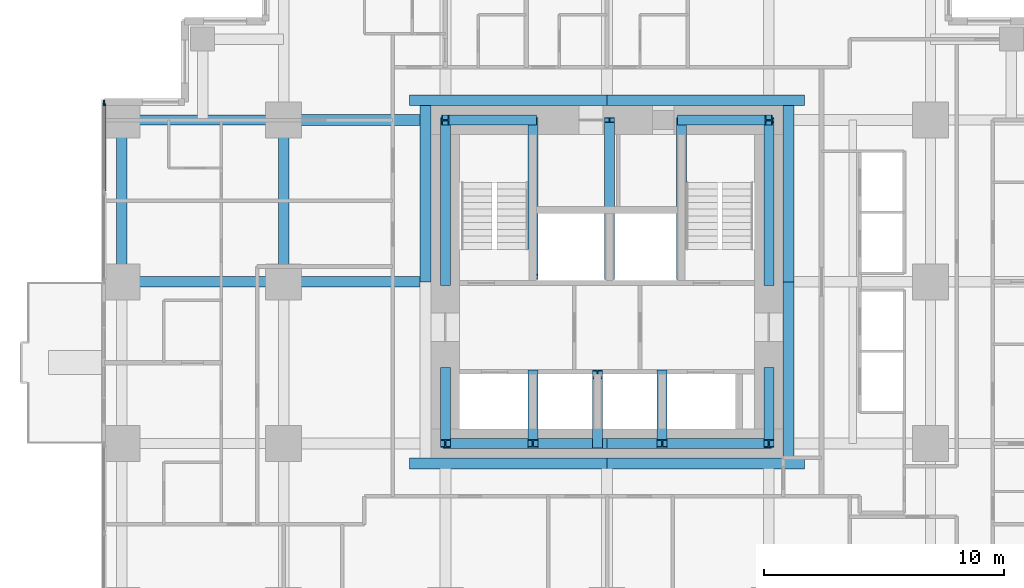
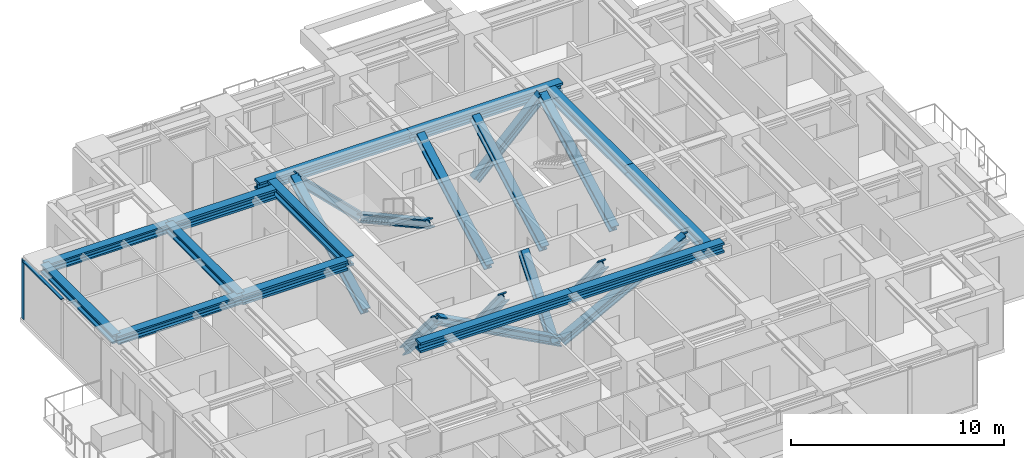
# One storey, part 3 of 13: 16 members, 13 beams, 1 element without a shape of its own.
"""IFC4 building model written with IfcOpenShell, lengths in metres."""

from ifc_helpers import new_model, si_unit, direction, frame, origin, origin_2d, place, context, subcontext, project, spatial, rectangle, i_section, extrude, material, material_profile, profile_set, type_object, element, aggregate, save


model = new_model("IFC4")

# Units and contexts
model_context = context("Model", 3, precision=1e-05, world=origin(), true_north=direction((0.0, 1.0)))
body_context = subcontext(model_context, "Body", "Model", "MODEL_VIEW")
ifc_project = project(units=[si_unit("LENGTHUNIT", "METRE"), si_unit("AREAUNIT", "SQUARE_METRE"), si_unit("VOLUMEUNIT", "CUBIC_METRE"), si_unit("PLANEANGLEUNIT", "RADIAN"), si_unit("MASSUNIT", "GRAM", prefix="KILO")], contexts=[model_context])

# Site, building, storey
site_placement = place(None, origin())
site = spatial("IfcSite", under=ifc_project, at=site_placement, CompositionType="ELEMENT")
building_placement = place(site_placement, origin())
building = spatial("IfcBuilding", under=site, at=building_placement, Name="Nyansa Garden Tower", CompositionType="ELEMENT")
storey_placement = place(building_placement, frame((0.0, 0.0, 116.10009765625)))
storey = spatial("IfcBuildingStorey", under=building, at=storey_placement, Name="L31", CompositionType="ELEMENT", Elevation=116.10009765625)

# Curtain wall, member
ifc_material_1 = material(Name="Black anodised aluminium, dark tinted double glazing", Category="aluminium")
curtain_wall_type = type_object("IfcCurtainWallType", Name="Inner skin curtain wall ISW-B", PredefinedType="USERDEFINED", material=ifc_material_1)
curtain_wall_placement = place(storey_placement, origin())
curtain_wall = element("IfcCurtainWall", 1, at=curtain_wall_placement, inside=storey, type_object=curtain_wall_type, Name="Inner skin curtain wall L31 W", ObjectType="UNITISED CURTAIN WALL", PredefinedType="USERDEFINED")
ifc_material_2 = material(Name="Black anodised aluminium", Category="aluminium")
ifc_material_profile_1 = material_profile(ifc_material_2, rectangle(XDim=0.06494140625, YDim=0.22509765625, at=origin_2d()), Name="Mullion 225x65")
ifc_profile_set_1 = profile_set([ifc_material_profile_1], Name="Black anodised aluminium")
member_type_1 = type_object("IfcMemberType", Name="Mullion ISW-B 225x65", PredefinedType="MULLION", material=ifc_profile_set_1)
member_1_placement = place(storey_placement, frame((-0.75, 27.717529296875, 0.0), z_axis=(0.0, 0.0, 1.0), x_axis=(1.0, 0.0, 0.0)))
member_1 = element("IfcMember", 2, at=member_1_placement, type_object=member_type_1, Name="ISW-B mullion 1", PredefinedType="MULLION", context=body_context, shape_type="SweptSolid", body=[
    extrude(rectangle(XDim=0.06494140625, YDim=0.22509765625, at=origin_2d()), origin(), (0.0, 0.0, 1.0), 3.375),
])

# Members
ifc_material_3 = material(Name="Steel S355", Category="steel")
ifc_material_profile_2 = material_profile(ifc_material_3, i_section(OverallWidth=0.41796875, OverallDepth=0.455078125, WebThickness=0.0419921875, FlangeThickness=0.067626953125, FilletRadius=0.014892578125, at=origin_2d()), Name="HD 400x463")
ifc_profile_set_2 = profile_set([ifc_material_profile_2], Name="Steel S355")
member_type_2 = type_object("IfcMemberType", Name="Perimeter brace HD 400x463", PredefinedType="BRACE", material=ifc_profile_set_2)
for number, where, z_axis, x_axis, name in (
    (3, (20.25, 13.5, 0.0), (-0.882360891967, 0.0, 0.470573327259), (0.0, -1.0, 0.0), "Core brace CS1 L31"),
    (4, (20.25, 13.5, 0.0), (0.882360891967, 0.0, 0.470573327259), (0.0, 1.0, 0.0), "Core brace CS2 L31"),
):
    element("IfcMember", number, at=place(storey_placement, frame(where, z_axis=z_axis, x_axis=x_axis)), inside=storey, type_object=member_type_2, Name=name, PredefinedType="BRACE", context=body_context, shape_type="SweptSolid", body=[
        extrude(i_section(OverallWidth=0.41796875, OverallDepth=0.455078125, WebThickness=0.0419921875, FlangeThickness=0.067626953125, FilletRadius=0.014892578125, at=origin_2d()), origin(), (0.0, 0.0, 1.0), 7.64990234375),
    ])
for number, where, z_axis, x_axis, name in (
    (5, (17.14990234375, 27.0, 0.0), (-0.711971340796, 0.0, 0.702208523079), (0.0, -1.0, 0.0), "Core brace CN3 L31"),
    (6, (23.35009765625, 27.0, 0.0), (0.711971340796, 0.0, 0.702208523079), (0.0, 1.0, 0.0), "Core brace CN4 L31"),
):
    element("IfcMember", number, at=place(storey_placement, frame(where, z_axis=z_axis, x_axis=x_axis)), inside=storey, type_object=member_type_2, Name=name, PredefinedType="BRACE", context=body_context, shape_type="SweptSolid", body=[
        extrude(i_section(OverallWidth=0.41796875, OverallDepth=0.455078125, WebThickness=0.0419921875, FlangeThickness=0.067626953125, FilletRadius=0.014892578125, at=origin_2d()), origin(), (0.0, 0.0, 1.0), 5.12646484375),
    ])
member_2_placement = place(storey_placement, frame((13.5, 16.5, 0.0), z_axis=(0.0, -0.640199773186, 0.768208468069), x_axis=(1.0, 0.0, 0.0)))
element("IfcMember", 7, at=member_2_placement, inside=storey, type_object=member_type_2, Name="Core brace CW5 L31", PredefinedType="BRACE", context=body_context, shape_type="SweptSolid", body=[
    extrude(i_section(OverallWidth=0.41796875, OverallDepth=0.455078125, WebThickness=0.0419921875, FlangeThickness=0.067626953125, FilletRadius=0.014892578125, at=origin_2d()), origin(), (0.0, 0.0, 1.0), 4.68603515625),
])
member_3_placement = place(storey_placement, frame((13.5, 20.199951171875, 0.0), z_axis=(0.0, 0.883797178129, 0.467870225524), x_axis=(-1.0, 0.0, 0.0)))
element("IfcMember", 8, at=member_3_placement, inside=storey, type_object=member_type_2, Name="Core brace CW6 L31", PredefinedType="BRACE", context=body_context, shape_type="SweptSolid", body=[
    extrude(i_section(OverallWidth=0.41796875, OverallDepth=0.455078125, WebThickness=0.0419921875, FlangeThickness=0.067626953125, FilletRadius=0.014892578125, at=origin_2d()), origin(), (0.0, 0.0, 1.0), 7.694091796875),
])
member_4_placement = place(storey_placement, frame((27.0, 16.5, 0.0), z_axis=(0.0, -0.640199773186, 0.768208468069), x_axis=(1.0, 0.0, 0.0)))
element("IfcMember", 9, at=member_4_placement, inside=storey, type_object=member_type_2, Name="Core brace CE7 L31", PredefinedType="BRACE", context=body_context, shape_type="SweptSolid", body=[
    extrude(i_section(OverallWidth=0.41796875, OverallDepth=0.455078125, WebThickness=0.0419921875, FlangeThickness=0.067626953125, FilletRadius=0.014892578125, at=origin_2d()), origin(), (0.0, 0.0, 1.0), 4.68603515625),
])
member_5_placement = place(storey_placement, frame((27.0, 20.199951171875, 0.0), z_axis=(0.0, 0.883797178129, 0.467870225524), x_axis=(-1.0, 0.0, 0.0)))
element("IfcMember", 10, at=member_5_placement, inside=storey, type_object=member_type_2, Name="Core brace CE8 L31", PredefinedType="BRACE", context=body_context, shape_type="SweptSolid", body=[
    extrude(i_section(OverallWidth=0.41796875, OverallDepth=0.455078125, WebThickness=0.0419921875, FlangeThickness=0.067626953125, FilletRadius=0.014892578125, at=origin_2d()), origin(), (0.0, 0.0, 1.0), 7.694091796875),
])
for number, where, z_axis, x_axis, name in (
    (11, (17.14990234375, 27.0, 0.0), (0.0, -0.876366901673, 0.481644115143), (1.0, 0.0, 0.0), "Core brace CWS9 L31"),
    (12, (23.35009765625, 20.449951171875, 0.0), (0.0, 0.876366901673, 0.481644115143), (-1.0, 0.0, 0.0), "Core brace CES10 L31"),
):
    element("IfcMember", number, at=place(storey_placement, frame(where, z_axis=z_axis, x_axis=x_axis)), inside=storey, type_object=member_type_2, Name=name, PredefinedType="BRACE", context=body_context, shape_type="SweptSolid", body=[
        extrude(i_section(OverallWidth=0.41796875, OverallDepth=0.455078125, WebThickness=0.0419921875, FlangeThickness=0.067626953125, FilletRadius=0.014892578125, at=origin_2d()), origin(), (0.0, 0.0, 1.0), 7.47412109375),
    ])
for number, where, z_axis, x_axis, name in (
    (13, (17.14990234375, 16.39990234375, 0.0), (0.0, -0.627332207022, 0.778751758928), (1.0, 0.0, 0.0), "Core brace CSW11 L31"),
    (14, (19.85009765625, 13.5, 0.0), (0.0, 0.627332207022, 0.778751758928), (-1.0, 0.0, 0.0), "Core brace CSW12 L31"),
    (15, (22.550048828125, 16.39990234375, 0.0), (0.0, -0.627332207022, 0.778751758928), (1.0, 0.0, 0.0), "Core brace CSW13 L31"),
):
    element("IfcMember", number, at=place(storey_placement, frame(where, z_axis=z_axis, x_axis=x_axis)), inside=storey, type_object=member_type_2, Name=name, PredefinedType="BRACE", context=body_context, shape_type="SweptSolid", body=[
        extrude(i_section(OverallWidth=0.41796875, OverallDepth=0.455078125, WebThickness=0.0419921875, FlangeThickness=0.067626953125, FilletRadius=0.014892578125, at=origin_2d()), origin(), (0.0, 0.0, 1.0), 4.62255859375),
    ])
member_6_placement = place(storey_placement, frame((20.35009765625, 20.449951171875, 0.0), z_axis=(0.0, 0.876366901673, 0.481644115143), x_axis=(-1.0, 0.0, 0.0)))
element("IfcMember", 16, at=member_6_placement, inside=storey, type_object=member_type_2, Name="Core brace CNW14 L31", PredefinedType="BRACE", context=body_context, shape_type="SweptSolid", body=[
    extrude(i_section(OverallWidth=0.41796875, OverallDepth=0.455078125, WebThickness=0.0419921875, FlangeThickness=0.067626953125, FilletRadius=0.014892578125, at=origin_2d()), origin(), (0.0, 0.0, 1.0), 7.47412109375),
])

# Beams
ifc_material_4 = material(Name="Steel S355", Category="steel")
ifc_material_profile_3 = material_profile(ifc_material_4, i_section(OverallWidth=0.431884765625, OverallDepth=0.498046875, WebThickness=0.0556640625, FlangeThickness=0.0888671875, FilletRadius=0.014892578125, at=origin_2d()), Name="HD 400x744")
ifc_profile_set_3 = profile_set([ifc_material_profile_3], Name="Steel S355")
beam_type_1 = type_object("IfcBeamType", Name="Steel beam SBB1-744 HD 400x744", PredefinedType="BEAM", material=ifc_profile_set_3)
for number, where, z_axis, x_axis, name in (
    (17, (0.0, 20.25, 3.1259765625), (1.0, 0.0, 0.0), (0.0, 1.0, 0.0), "Steel beam 2/G-3/G L32"),
    (18, (0.0, 27.0, 3.1259765625), (1.0, 0.0, 0.0), (0.0, 1.0, 0.0), "Steel beam 2/H-3/H L32"),
    (19, (6.75, 20.25, 3.1259765625), (0.0, 1.0, 0.0), (-1.0, 0.0, 0.0), "Steel beam 3/G-3/H L32"),
):
    element("IfcBeam", number, at=place(storey_placement, frame(where, z_axis=z_axis, x_axis=x_axis)), inside=storey, type_object=beam_type_1, Name=name, PredefinedType="BEAM", context=body_context, shape_type="SweptSolid", body=[
        extrude(i_section(OverallWidth=0.431884765625, OverallDepth=0.498046875, WebThickness=0.0556640625, FlangeThickness=0.0888671875, FilletRadius=0.014892578125, at=origin_2d()), origin(), (0.0, 0.0, 1.0), 6.75),
    ])
ifc_material_5 = material(Name="Steel S355", Category="steel")
ifc_material_profile_4 = material_profile(ifc_material_5, i_section(OverallWidth=0.4541015625, OverallDepth=0.569091796875, WebThickness=0.077880859375, FlangeThickness=0.125, FilletRadius=0.014892578125, at=origin_2d()), Name="HD 400x1086")
ifc_profile_set_4 = profile_set([ifc_material_profile_4], Name="Steel S355")
beam_type_2 = type_object("IfcBeamType", Name="Steel beam SCL-1086 HD 400x1086", PredefinedType="BEAM", material=ifc_profile_set_4)
for number, where, z_axis, x_axis, name in (
    (20, (6.75, 20.25, 3.09033203125), (1.0, 0.0, 0.0), (0.0, 1.0, 0.0), "Steel beam 3/G-12.450/G L32"),
    (21, (6.75, 27.0, 3.09033203125), (1.0, 0.0, 0.0), (0.0, 1.0, 0.0), "Steel beam 3/H-12.450/H L32"),
):
    element("IfcBeam", number, at=place(storey_placement, frame(where, z_axis=z_axis, x_axis=x_axis)), inside=storey, type_object=beam_type_2, Name=name, PredefinedType="BEAM", context=body_context, shape_type="SweptSolid", body=[
        extrude(i_section(OverallWidth=0.4541015625, OverallDepth=0.569091796875, WebThickness=0.077880859375, FlangeThickness=0.125, FilletRadius=0.014892578125, at=origin_2d()), origin(), (0.0, 0.0, 1.0), 5.699951171875),
    ])
for number, where, z_axis, x_axis, name in (
    (22, (12.0, 12.673095703125, 3.09033203125), (1.0, 0.0, 0.0), (0.0, 1.0, 0.0), "Steel core ledger beam S.1 L32"),
    (23, (20.25, 12.673095703125, 3.09033203125), (1.0, 0.0, 0.0), (0.0, 1.0, 0.0), "Steel core ledger beam S.2 L32"),
):
    element("IfcBeam", number, at=place(storey_placement, frame(where, z_axis=z_axis, x_axis=x_axis)), inside=storey, type_object=beam_type_2, Name=name, PredefinedType="BEAM", context=body_context, shape_type="SweptSolid", body=[
        extrude(i_section(OverallWidth=0.4541015625, OverallDepth=0.569091796875, WebThickness=0.077880859375, FlangeThickness=0.125, FilletRadius=0.014892578125, at=origin_2d()), origin(), (0.0, 0.0, 1.0), 8.25),
    ])
for number, where, z_axis, x_axis, name in (
    (24, (27.826904296875, 12.89990234375, 3.09033203125), (0.0, 1.0, 0.0), (-1.0, 0.0, 0.0), "Steel core ledger beam E.1 L32"),
    (25, (27.826904296875, 20.25, 3.09033203125), (0.0, 1.0, 0.0), (-1.0, 0.0, 0.0), "Steel core ledger beam E.2 L32"),
):
    element("IfcBeam", number, at=place(storey_placement, frame(where, z_axis=z_axis, x_axis=x_axis)), inside=storey, type_object=beam_type_2, Name=name, PredefinedType="BEAM", context=body_context, shape_type="SweptSolid", body=[
        extrude(i_section(OverallWidth=0.4541015625, OverallDepth=0.569091796875, WebThickness=0.077880859375, FlangeThickness=0.125, FilletRadius=0.014892578125, at=origin_2d()), origin(), (0.0, 0.0, 1.0), 7.35009765625),
    ])
for number, where, z_axis, x_axis, name in (
    (26, (28.5, 27.826904296875, 3.09033203125), (-1.0, 0.0, 0.0), (0.0, -1.0, 0.0), "Steel core ledger beam N.1 L32"),
    (27, (20.25, 27.826904296875, 3.09033203125), (-1.0, 0.0, 0.0), (0.0, -1.0, 0.0), "Steel core ledger beam N.2 L32"),
):
    element("IfcBeam", number, at=place(storey_placement, frame(where, z_axis=z_axis, x_axis=x_axis)), inside=storey, type_object=beam_type_2, Name=name, PredefinedType="BEAM", context=body_context, shape_type="SweptSolid", body=[
        extrude(i_section(OverallWidth=0.4541015625, OverallDepth=0.569091796875, WebThickness=0.077880859375, FlangeThickness=0.125, FilletRadius=0.014892578125, at=origin_2d()), origin(), (0.0, 0.0, 1.0), 8.25),
    ])
beam_1_placement = place(storey_placement, frame((12.673095703125, 27.60009765625, 3.09033203125), z_axis=(0.0, -1.0, 0.0), x_axis=(1.0, 0.0, 0.0)))
element("IfcBeam", 28, at=beam_1_placement, inside=storey, type_object=beam_type_2, Name="Steel core ledger beam W.1 L32", PredefinedType="BEAM", context=body_context, shape_type="SweptSolid", body=[
    extrude(i_section(OverallWidth=0.4541015625, OverallDepth=0.569091796875, WebThickness=0.077880859375, FlangeThickness=0.125, FilletRadius=0.014892578125, at=origin_2d()), origin(), (0.0, 0.0, 1.0), 7.35009765625),
])
ifc_material_6 = material(Name="Steel S355", Category="steel")
ifc_material_profile_5 = material_profile(ifc_material_6, i_section(OverallWidth=0.431884765625, OverallDepth=0.498046875, WebThickness=0.0556640625, FlangeThickness=0.0888671875, FilletRadius=0.014892578125, at=origin_2d()), Name="HD 400x744")
ifc_profile_set_5 = profile_set([ifc_material_profile_5], Name="Steel S355")
beam_type_3 = type_object("IfcBeamType", Name="Steel beam SEBB-744 HD 400x744", PredefinedType="BEAM", material=ifc_profile_set_5)
beam_2_placement = place(storey_placement, frame((0.0, 20.25, 3.1259765625), z_axis=(0.0, 1.0, 0.0), x_axis=(-1.0, 0.0, 0.0)))
element("IfcBeam", 29, at=beam_2_placement, inside=storey, type_object=beam_type_3, Name="Steel edge beam 2/G-2/H L32", PredefinedType="BEAM", context=body_context, shape_type="SweptSolid", body=[
    extrude(i_section(OverallWidth=0.431884765625, OverallDepth=0.498046875, WebThickness=0.0556640625, FlangeThickness=0.0888671875, FilletRadius=0.014892578125, at=origin_2d()), origin(), (0.0, 0.0, 1.0), 6.75),
])

# Member
ifc_material_7 = material(Name="Black anodised aluminium", Category="aluminium")
ifc_material_profile_6 = material_profile(ifc_material_7, rectangle(XDim=0.1650390625, YDim=0.06494140625, at=origin_2d()), Name="Transom 165x65")
ifc_profile_set_6 = profile_set([ifc_material_profile_6], Name="Black anodised aluminium")
member_type_3 = type_object("IfcMemberType", Name="Transom ISW-B 165x65", PredefinedType="USERDEFINED", material=ifc_profile_set_6)
member_7_placement = place(storey_placement, frame((-0.75, 27.68505859375, 3.34228515625), z_axis=(0.0, -1.0, 0.0), x_axis=(1.0, 0.0, 0.0)))
member_7 = element("IfcMember", 30, at=member_7_placement, type_object=member_type_3, Name="ISW-B transom 1", ObjectType="TRANSOM", PredefinedType="USERDEFINED", context=body_context, shape_type="SweptSolid", body=[
    extrude(rectangle(XDim=0.1650390625, YDim=0.06494140625, at=origin_2d()), origin(), (0.0, 0.0, 1.0), 3.652587890625),
])

aggregate(curtain_wall, [member_1, member_7])

save(model, "model.ifc")
